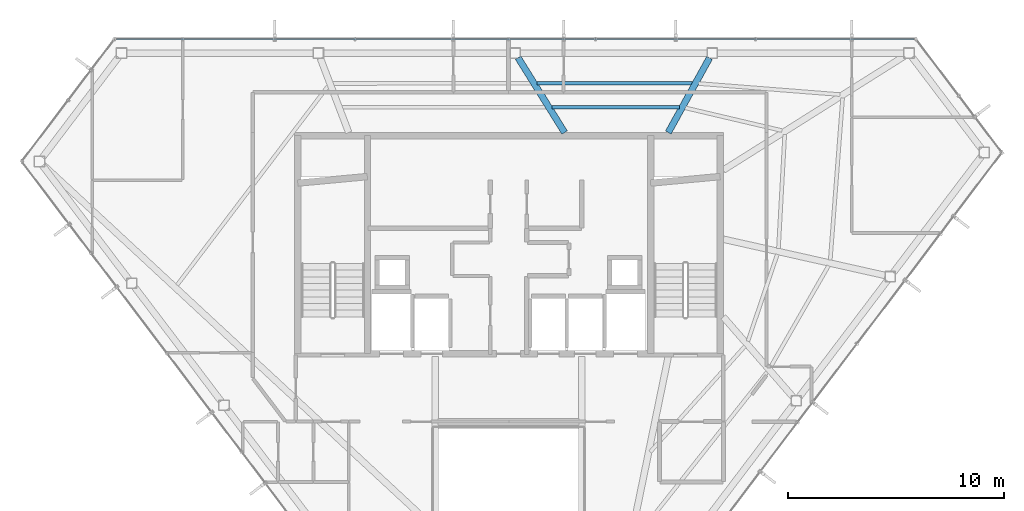
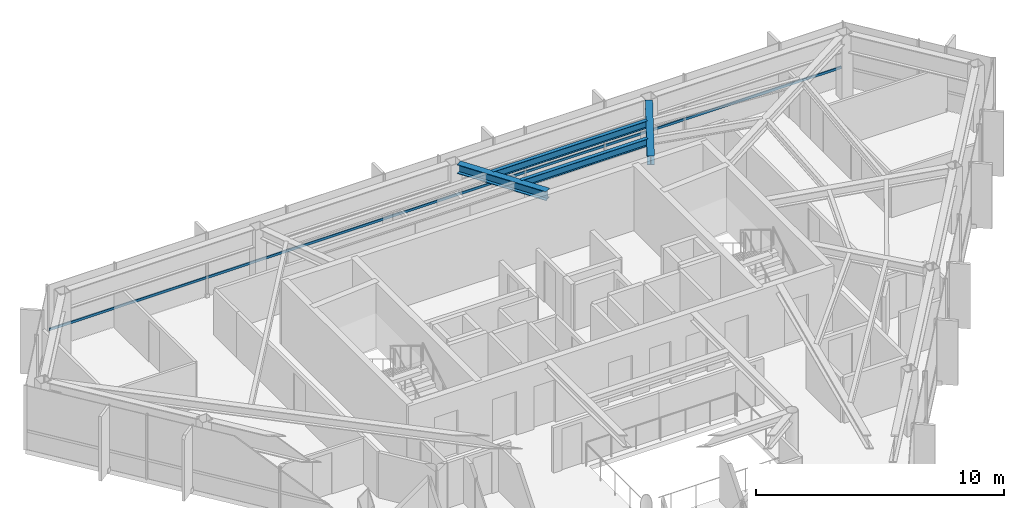
# One storey, part 13 of 25: 4 beams, 1 member, 1 element without a shape of its own.
"""IFC4 building model written with IfcOpenShell, lengths in metres."""

from ifc_helpers import new_model, si_unit, direction, frame, origin, origin_2d, place, context, subcontext, project, spatial, hollow_rectangle, i_section, extrude, material, layer, layer_set, material_profile, profile_set, type_object, element, aggregate, save


model = new_model("IFC4")

# Units and contexts
model_context = context("Model", 3, precision=1e-05, world=origin(), true_north=direction((0.0, 1.0)))
body_context = subcontext(model_context, "Body", "Model", "MODEL_VIEW")
ifc_project = project(units=[si_unit("LENGTHUNIT", "METRE"), si_unit("AREAUNIT", "SQUARE_METRE"), si_unit("VOLUMEUNIT", "CUBIC_METRE"), si_unit("PLANEANGLEUNIT", "RADIAN"), si_unit("MASSUNIT", "GRAM", prefix="KILO")], contexts=[model_context])

# Site, building, storey
site_placement = place(None, origin())
site = spatial("IfcSite", under=ifc_project, at=site_placement, CompositionType="ELEMENT")
building_placement = place(site_placement, origin())
building = spatial("IfcBuilding", under=site, at=building_placement, Name="Zarrinselat Tower", CompositionType="ELEMENT")
storey_placement = place(building_placement, frame((0.0, 0.0, 261.800048828125)))
storey = spatial("IfcBuildingStorey", under=building, at=storey_placement, Name="L66", CompositionType="ELEMENT", Elevation=261.800048828125)

# Beams
ifc_material_1 = material(Name="Steel S355J2", Category="steel")
ifc_material_profile_1 = material_profile(ifc_material_1, i_section(OverallWidth=0.300048828125, OverallDepth=0.449951171875, WebThickness=0.013916015625, FlangeThickness=0.02587890625, at=origin_2d()), Name="HEB 450")
ifc_profile_set_1 = profile_set([ifc_material_profile_1], Name="Steel S355J2")
beam_type_1 = type_object("IfcBeamType", Name="BM-HEB450", PredefinedType="BEAM", material=ifc_profile_set_1)
beam_1_placement = place(storey_placement, frame((45.800048828125, 43.5400390625, 2.954833984375), z_axis=(0.483873039518, 0.875138207158, 0.0), x_axis=(-0.875138207158, 0.483873039518, 0.0)))
element("IfcBeam", 1, at=beam_1_placement, inside=storey, type_object=beam_type_1, Name="L66 Radial Primary Girder RG02", PredefinedType="BEAM", context=body_context, shape_type="SweptSolid", body=[
    extrude(i_section(OverallWidth=0.300048828125, OverallDepth=0.449951171875, WebThickness=0.013916015625, FlangeThickness=0.02587890625, at=origin_2d()), origin(), (0.0, 0.0, 1.0), 3.94921875),
])
beam_2_placement = place(storey_placement, frame((38.846923828125, 47.002685546875, 2.954833984375), z_axis=(0.528043836267, -0.849217114159, 0.0), x_axis=(0.849217114159, 0.528043836267, 0.0)))
element("IfcBeam", 2, at=beam_2_placement, inside=storey, type_object=beam_type_1, Name="L66 Radial Primary Girder RG03", PredefinedType="BEAM", context=body_context, shape_type="SweptSolid", body=[
    extrude(i_section(OverallWidth=0.300048828125, OverallDepth=0.449951171875, WebThickness=0.013916015625, FlangeThickness=0.02587890625, at=origin_2d()), origin(), (0.0, 0.0, 1.0), 4.077392578125),
])
ifc_material_2 = material(Name="Steel S355J2", Category="steel")
ifc_material_profile_2 = material_profile(ifc_material_2, i_section(OverallWidth=0.169921875, OverallDepth=0.360107421875, WebThickness=0.008056640625, FlangeThickness=0.0126953125, at=origin_2d()), Name="IPE 360")
ifc_profile_set_2 = profile_set([ifc_material_profile_2], Name="Steel S355J2")
beam_type_2 = type_object("IfcBeamType", Name="BM-IPE360", PredefinedType="JOIST", material=ifc_profile_set_2)
beam_3_placement = place(storey_placement, frame((39.718994140625, 45.8251953125, 3.0), z_axis=(0.999999852916, -0.000542372802, 0.0), x_axis=(0.000542372802, 0.999999852916, 0.0)))
element("IfcBeam", 3, at=beam_3_placement, inside=storey, type_object=beam_type_2, Name="L66 Composite Floor Joist 7-1", PredefinedType="JOIST", context=body_context, shape_type="SweptSolid", body=[
    extrude(i_section(OverallWidth=0.169921875, OverallDepth=0.360107421875, WebThickness=0.008056640625, FlangeThickness=0.0126953125, at=origin_2d()), origin(), (0.0, 0.0, 1.0), 7.2021484375),
])
beam_4_placement = place(storey_placement, frame((40.407958984375, 44.71728515625, 3.0), z_axis=(0.999999930696, -0.000372300793, 0.0), x_axis=(0.000372300793, 0.999999930696, 0.0)))
element("IfcBeam", 4, at=beam_4_placement, inside=storey, type_object=beam_type_2, Name="L66 Composite Floor Joist 7-2", PredefinedType="JOIST", context=body_context, shape_type="SweptSolid", body=[
    extrude(i_section(OverallWidth=0.169921875, OverallDepth=0.360107421875, WebThickness=0.008056640625, FlangeThickness=0.0126953125, at=origin_2d()), origin(), (0.0, 0.0, 1.0), 5.90185546875),
])

# Curtain wall, member
ifc_material_3 = material(Name="Extruded Aluminium Alloy EN AW-6063 T6", Category="aluminium")
ifc_layer = layer(ifc_material_3, 0.169921875)
ifc_layer_set = layer_set([ifc_layer], Name="Extruded Aluminium Alloy EN AW-6063 T6")
curtain_wall_type = type_object("IfcCurtainWallType", Name="CWS-RES", PredefinedType="NOTDEFINED", material=ifc_layer_set)
curtain_wall_placement = place(storey_placement, origin())
curtain_wall = element("IfcCurtainWall", 5, at=curtain_wall_placement, inside=storey, type_object=curtain_wall_type, Name="L66 Unitised Curtain Wall CW-L66-E01", PredefinedType="NOTDEFINED")
ifc_material_4 = material(Name="Extruded Aluminium Alloy EN AW-6063 T6", Category="aluminium")
ifc_material_profile_3 = material_profile(ifc_material_4, hollow_rectangle(XDim=0.06005859375, YDim=0.1201171875, WallThickness=0.00390625, at=origin_2d()), Name="RHS 120x60x4")
ifc_profile_set_3 = profile_set([ifc_material_profile_3], Name="Extruded Aluminium Alloy EN AW-6063 T6")
member_type = type_object("IfcMemberType", Name="MEM-CW-TRN2", PredefinedType="USERDEFINED", material=ifc_profile_set_3)
member_placement = place(storey_placement, frame((57.1845703125, 47.86669921875, 0.949951171875), z_axis=(-1.0, 0.0, 0.0), x_axis=(0.0, -1.0, 0.0)))
member = element("IfcMember", 6, at=member_placement, type_object=member_type, Name="CW-L66-E01 Transom 1", ObjectType="TRANSOM", PredefinedType="USERDEFINED", context=body_context, shape_type="SweptSolid", body=[
    extrude(hollow_rectangle(XDim=0.06005859375, YDim=0.1201171875, WallThickness=0.00390625, at=origin_2d()), origin(), (0.0, 0.0, 1.0), 36.941162109375),
])
aggregate(curtain_wall, [member])

save(model, "model.ifc")
